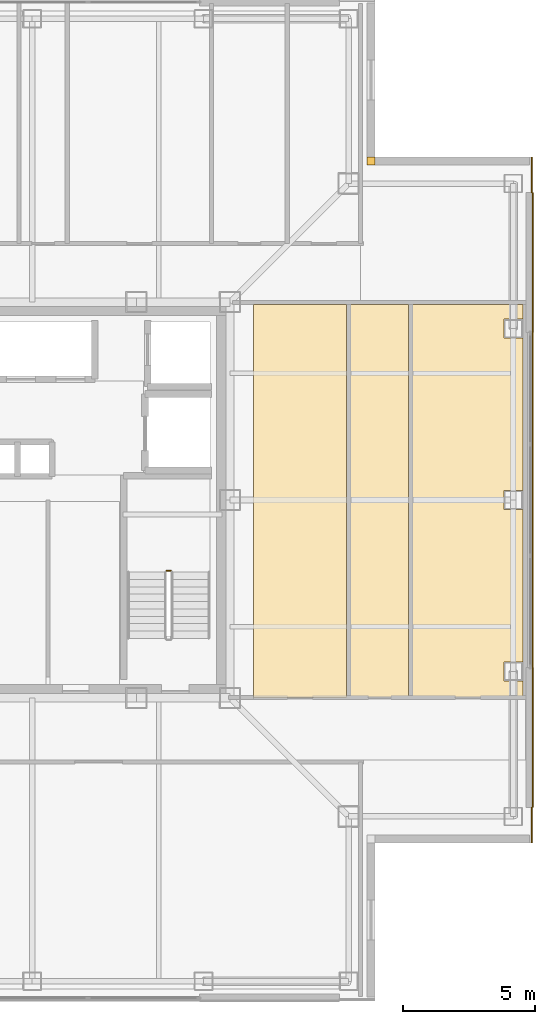
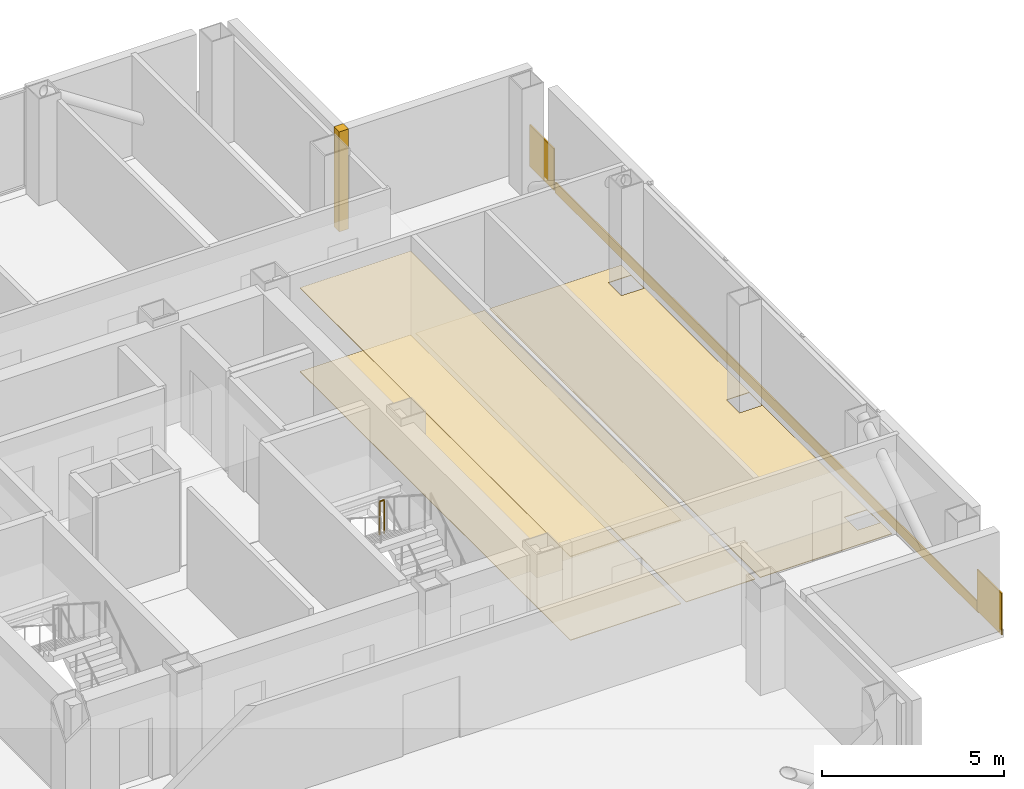
# One storey, part 15 of 16: 8 coverings, 1 railing.
"""IFC4 building model written with IfcOpenShell, lengths in metres."""

from ifc_helpers import new_model, si_unit, direction, frame, frame_2d, origin, origin_2d, place, context, subcontext, project, spatial, polyline, rectangle, circle, outline, extrude, material, layer, layer_set, type_object, element, save


model = new_model("IFC4")

# Units and contexts
model_context = context("Model", 3, precision=1e-05, world=origin(), true_north=direction((0.0, 1.0)))
body_context = subcontext(model_context, "Body", "Model", "MODEL_VIEW")
ifc_project = project(units=[si_unit("LENGTHUNIT", "METRE"), si_unit("AREAUNIT", "SQUARE_METRE"), si_unit("VOLUMEUNIT", "CUBIC_METRE"), si_unit("PLANEANGLEUNIT", "RADIAN"), si_unit("MASSUNIT", "GRAM", prefix="KILO")], contexts=[model_context])

# Site, building, storey
site_placement = place(None, origin())
site = spatial("IfcSite", under=ifc_project, at=site_placement, CompositionType="ELEMENT")
building_placement = place(site_placement, origin())
building = spatial("IfcBuilding", under=site, at=building_placement, Name="Trevonay Congress Spire", CompositionType="ELEMENT")
storey_placement = place(building_placement, frame((0.0, 0.0, 246.800048828125)))
storey = spatial("IfcBuildingStorey", under=building, at=storey_placement, Name="L64", CompositionType="ELEMENT", Elevation=246.800048828125)

# Coverings
ifc_material_1 = material(Name="Acoustic Mineral Fibre Board", Category="gypsum")
ifc_layer_1 = layer(ifc_material_1, 0.02490234375, Name="Acoustic Mineral Fibre Board")
ifc_layer_set_1 = layer_set([ifc_layer_1], Name="Acoustic Mineral Fibre Board")
covering_type_1 = type_object("IfcCoveringType", Name="COV-CEIL-ACOUSTIC", PredefinedType="CEILING", material=ifc_layer_set_1)
covering_1_placement = place(storey_placement, frame((0.0, 0.0, 2.81005859375)))
element("IfcCovering", 1, at=covering_1_placement, inside=storey, type_object=covering_type_1, Name="L64 Delegate Coffee Pantry acoustic suspended ceiling", PredefinedType="CEILING", context=body_context, shape_type="SweptSolid", body=[
    extrude(outline(polyline([(8.39990234375, -7.47998046875), (11.919921875, -7.47998046875), (11.919921875, 7.419921875), (8.39990234375, 7.419921875), (8.39990234375, -7.47998046875)])), origin(), (0.0, 0.0, 1.0), 0.02490234375),
])
ifc_material_2 = material(Name="Polished Granite Floor Tile", Category="masonry")
ifc_layer_2 = layer(ifc_material_2, 0.02001953125, Name="Polished Granite Floor Tile")
ifc_layer_set_2 = layer_set([ifc_layer_2], Name="Polished Granite Floor Tile")
covering_type_2 = type_object("IfcCoveringType", Name="COV-FLOOR-STONE", PredefinedType="FLOORING", material=ifc_layer_set_2)
covering_2_placement = place(storey_placement, origin())
element("IfcCovering", 2, at=covering_2_placement, inside=storey, type_object=covering_type_2, Name="L64 Delegate Coffee Pantry floor finish", PredefinedType="FLOORING", context=body_context, shape_type="SweptSolid", body=[
    extrude(outline(polyline([(8.39990234375, -7.47998046875), (11.919921875, -7.47998046875), (11.919921875, 7.419921875), (8.39990234375, 7.419921875), (8.39990234375, -7.47998046875)])), origin(), (0.0, 0.0, 1.0), 0.02001953125),
])
covering_3_placement = place(storey_placement, origin())
element("IfcCovering", 3, at=covering_3_placement, inside=storey, type_object=covering_type_2, Name="L64 Male Restroom WC floor finish", PredefinedType="FLOORING", context=body_context, shape_type="SweptSolid", body=[
    extrude(outline(polyline([(12.080078125, -7.47998046875), (14.27001953125, -7.47998046875), (14.27001953125, 7.419921875), (12.080078125, 7.419921875), (12.080078125, -7.47998046875)])), origin(), (0.0, 0.0, 1.0), 0.02001953125),
])
covering_4_placement = place(storey_placement, origin())
element("IfcCovering", 4, at=covering_4_placement, inside=storey, type_object=covering_type_2, Name="L64 Floor Supplies and Copy Room floor finish", PredefinedType="FLOORING", context=body_context, shape_type="SweptSolid", body=[
    extrude(outline(polyline([(14.429931640625, 7.419921875), (18.6201171875, 7.419921875), (18.6201171875, -7.47998046875), (14.429931640625, -7.47998046875), (14.429931640625, 7.419921875)]), holes=[polyline([(17.889892578125, -6.860107421875), (18.610107421875, -6.860107421875), (18.610107421875, -6.139892578125), (17.889892578125, -6.139892578125), (17.889892578125, -6.860107421875)]), polyline([(17.889892578125, 0.360107421875), (17.889892578125, -0.360107421875), (18.610107421875, -0.360107421875), (18.610107421875, 0.360107421875), (17.889892578125, 0.360107421875)]), polyline([(17.889892578125, 6.860107421875), (17.889892578125, 6.139892578125), (18.610107421875, 6.139892578125), (18.610107421875, 6.860107421875), (17.889892578125, 6.860107421875)])]), origin(), (0.0, 0.0, 1.0), 0.02001953125),
])
ifc_material_3 = material(Name="Pale Anodised Aluminium EN AW-6063-T6", Category="aluminium")
ifc_layer_3 = layer(ifc_material_3, 0.0400390625, Name="Pale Anodised Aluminium EN AW-6063-T6")
ifc_layer_set_3 = layer_set([ifc_layer_3], Name="Pale Anodised Aluminium EN AW-6063-T6")
covering_type_3 = type_object("IfcCoveringType", Name="COV-SPANDREL-PALE-METAL", PredefinedType="CLADDING", material=ifc_layer_set_3)
covering_5_placement = place(storey_placement, frame((18.97998046875, -11.64990234375, -0.239990234375), z_axis=(0.0, 0.0, 1.0), x_axis=(0.0, 1.0, 0.0)))
element("IfcCovering", 5, at=covering_5_placement, inside=storey, type_object=covering_type_3, Name="L64 E pale-metal slab-edge spandrel cladding", PredefinedType="CLADDING", context=body_context, shape_type="SweptSolid", body=[
    extrude(rectangle(XDim=23.2998046875, YDim=0.0400390625, at=frame_2d((11.64990234375, 0.0))), origin(), (0.0, 0.0, 1.0), 0.35986328125),
])
covering_6_placement = place(storey_placement, frame((18.93994140625, -11.64990234375, -0.150146484375), z_axis=(0.0, 0.0, 1.0), x_axis=(0.0, -1.0, 0.0)))
element("IfcCovering", 6, at=covering_6_placement, inside=storey, type_object=covering_type_3, Name="L64 SE corner pier spandrel cladding 1", PredefinedType="CLADDING", context=body_context, shape_type="SweptSolid", body=[
    extrude(rectangle(XDim=1.35009765625, YDim=0.0400390625, at=frame_2d((0.675048828125, 0.0))), origin(), (0.0, 0.0, 1.0), 1.400146484375),
])
covering_7_placement = place(storey_placement, origin())
element("IfcCovering", 7, at=covering_7_placement, inside=storey, type_object=covering_type_3, Name="L64 NE re-entrant notch corner closure trim", PredefinedType="CLADDING", context=body_context, shape_type="SweptSolid", body=[
    extrude(outline(polyline([(12.699951171875, 12.699951171875), (13.0, 12.699951171875), (13.0, 13.0), (12.699951171875, 13.0), (12.699951171875, 12.699951171875)])), origin(), (0.0, 0.0, 1.0), 3.35986328125),
])
covering_8_placement = place(storey_placement, frame((18.93994140625, 11.64990234375, -0.150146484375), z_axis=(0.0, 0.0, 1.0), x_axis=(0.0, 1.0, 0.0)))
element("IfcCovering", 8, at=covering_8_placement, inside=storey, type_object=covering_type_3, Name="L64 NE corner pier spandrel cladding 1", PredefinedType="CLADDING", context=body_context, shape_type="SweptSolid", body=[
    extrude(rectangle(XDim=1.35009765625, YDim=0.0400390625, at=frame_2d((0.675048828125, 0.0))), origin(), (0.0, 0.0, 1.0), 1.400146484375),
])

# Railing
railing_type = type_object("IfcRailingType", Name="RAL-STAIR-GUARD-110", PredefinedType="GUARDRAIL", material=ifc_material_3)
railing_placement = place(storey_placement, frame((5.25, -2.679931640625, 1.800048828125)))
element("IfcRailing", 9, at=railing_placement, inside=storey, type_object=railing_type, Name="L64 ST-2 stair guard 2", PredefinedType="GUARDRAIL", context=body_context, shape_type="SweptSolid", body=[
    extrude(circle(Radius=0.02392578125, at=origin_2d()), frame((0.0, 0.0, 1.1259765625), z_axis=(-1.0, 0.0, 0.0), x_axis=(0.0, -1.0, 0.0)), (0.0, 0.0, 1.0), 0.14990234375),
    extrude(circle(Radius=0.02099609375, at=origin_2d()), origin(), (0.0, 0.0, 1.0), 1.101806640625),
    extrude(circle(Radius=0.02099609375, at=origin_2d()), frame((-0.14990234375, 0.0, 0.0)), (0.0, 0.0, 1.0), 1.101806640625),
])

save(model, "model.ifc")
